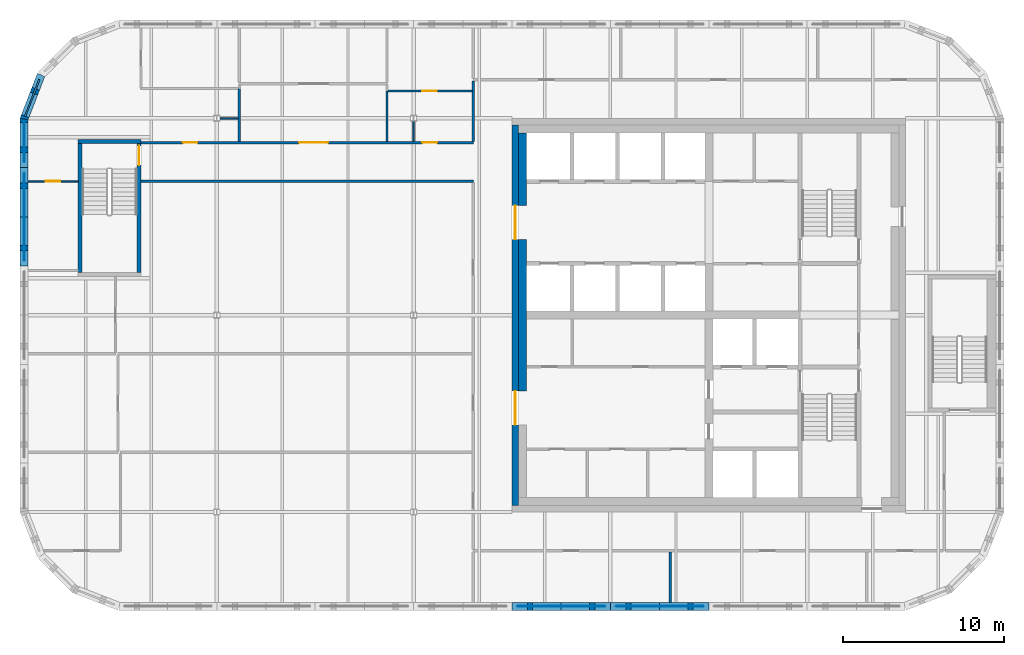
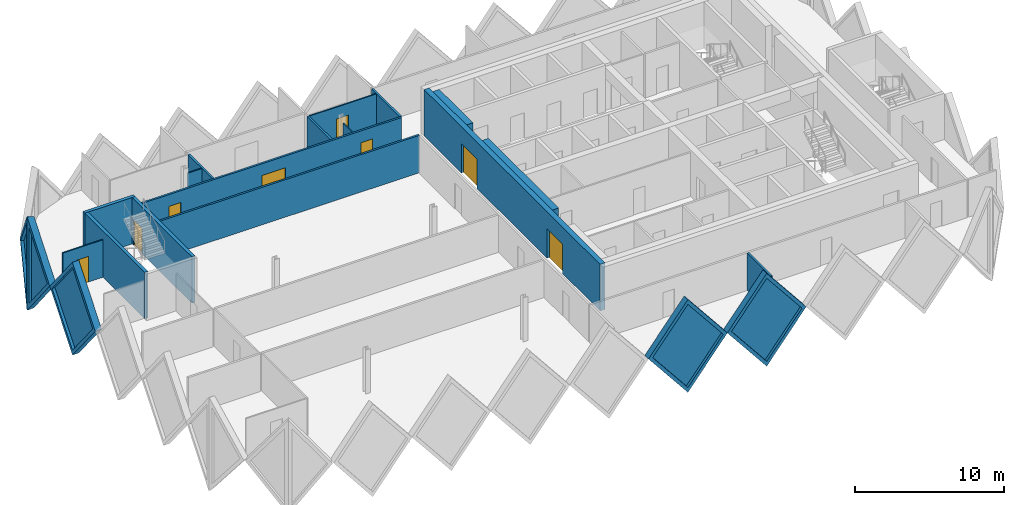
# One storey, part 4 of 11: 21 walls, 8 doors, 5 plates, 13 openings.
"""IFC4 building model written with IfcOpenShell, lengths in metres."""

from ifc_helpers import new_model, si_unit, direction, frame, frame_2d, origin, place, context, subcontext, project, spatial, polyline, rectangle, outline, extrude, faceted_brep, source, transform, mapped, material, layer, layer_set, type_object, element, fill, save


model = new_model("IFC4")

# Units and contexts
model_context = context("Model", 3, precision=1e-05, world=origin(), true_north=direction((0.0, 1.0)))
body_context = subcontext(model_context, "Body", "Model", "MODEL_VIEW")
ifc_project = project(units=[si_unit("LENGTHUNIT", "METRE"), si_unit("AREAUNIT", "SQUARE_METRE"), si_unit("VOLUMEUNIT", "CUBIC_METRE"), si_unit("PLANEANGLEUNIT", "RADIAN"), si_unit("MASSUNIT", "GRAM", prefix="KILO")], contexts=[model_context])

# Site, building, storey
site_placement = place(None, origin())
site = spatial("IfcSite", under=ifc_project, at=site_placement, CompositionType="ELEMENT")
building_placement = place(site_placement, origin())
building = spatial("IfcBuilding", under=site, at=building_placement, Name="Tessera Gate Towers", CompositionType="ELEMENT")
storey_placement = place(building_placement, frame((0.0, 0.0, 240.699951171875)))
storey = spatial("IfcBuildingStorey", under=building, at=storey_placement, Name="L60", CompositionType="ELEMENT", Elevation=240.699951171875)

# Walls
ifc_material_1 = material(Name="Concrete C40/50", Category="concrete")
ifc_layer_1 = layer(ifc_material_1, 0.25)
ifc_layer_set_1 = layer_set([ifc_layer_1], Name="CORE ENCLOSURE WALL 250")
wall_type_1 = type_object("IfcWallType", Name="CORE ENCLOSURE WALL 250", PredefinedType="SOLIDWALL", material=ifc_layer_set_1)
wall_1_placement = place(storey_placement, frame((3.72509765625, 39.25, 0.0), z_axis=(0.0, 0.0, 1.0), x_axis=(0.0, 1.0, 0.0)))
element("IfcWall", 1, at=wall_1_placement, inside=storey, type_object=wall_type_1, Name="L60 ST3 enclosure wall", PredefinedType="SOLIDWALL", context=body_context, shape_type="SweptSolid", body=[
    extrude(rectangle(XDim=8.0, YDim=0.25, at=frame_2d((4.0, 0.0))), origin(), (0.0, 0.0, 1.0), 3.800048828125),
])
wall_2_placement = place(storey_placement, frame((3.60009765625, 47.375, 0.0), z_axis=(0.0, 0.0, 1.0), x_axis=(1.0, 0.0, 0.0)))
element("IfcWall", 2, at=wall_2_placement, inside=storey, type_object=wall_type_1, Name="L60 ST3 enclosure wall", PredefinedType="SOLIDWALL", context=body_context, shape_type="SweptSolid", body=[
    extrude(rectangle(XDim=3.89990234375, YDim=0.25, at=frame_2d((1.949951171875, 0.0))), origin(), (0.0, 0.0, 1.0), 3.800048828125),
])

# Wall, opening, door
wall_3_placement = place(storey_placement, frame((7.375, 47.25, 0.0), z_axis=(0.0, 0.0, 1.0), x_axis=(0.0, -1.0, 0.0)))
wall_3 = element("IfcWall", 3, at=wall_3_placement, inside=storey, type_object=wall_type_1, Name="L60 ST3 enclosure wall", PredefinedType="SOLIDWALL", context=body_context, shape_type="SweptSolid", body=[
    extrude(rectangle(XDim=8.0, YDim=0.25, at=frame_2d((4.0, 0.0))), origin(), (0.0, 0.0, 1.0), 3.800048828125),
])
shared_shape_1 = source(origin(), body_context, "Body", "SweptSolid", [
    extrude(rectangle(XDim=1.199951171875, YDim=2.10009765625, at=frame_2d((0.60009765625, 1.050048828125))), frame((0.0, 0.135009765625, 0.0), z_axis=(0.0, -1.0, 0.0), x_axis=(1.0, 0.0, 0.0)), (0.0, 0.0, 1.0), 0.27001953125),
])
opening_1_placement = place(wall_3_placement, frame((0.14990234375, 0.0, 0.0)))
opening_1 = element("IfcOpeningElement", 4, at=opening_1_placement, cuts=wall_3, Name="Opening SD-ST3-1", PredefinedType="OPENING", context=body_context, shape_type="MappedRepresentation", body=[
    mapped(shared_shape_1, transform((0.0, 0.0, 0.0), scale=1.0)),
])
ifc_material_2 = material(Name="Hollow steel fire door", Category="steel")
door_type_1 = type_object("IfcDoorType", Name="CORE DOOR SD 1200x2100", OperationType="NOTDEFINED", PredefinedType="DOOR", material=ifc_material_2)
shared_shape_2 = source(origin(), body_context, "Body", "SweptSolid", [
    extrude(rectangle(XDim=1.199951171875, YDim=2.10009765625, at=frame_2d((0.60009765625, 1.050048828125))), frame((0.0, 0.02490234375, 0.0), z_axis=(0.0, -1.0, 0.0), x_axis=(1.0, 0.0, 0.0)), (0.0, 0.0, 1.0), 0.050048828125),
])
door_1_placement = place(opening_1_placement, origin())
door_1 = element("IfcDoor", 5, at=door_1_placement, inside=storey, type_object=door_type_1, Name="Stair door", OperationType="SINGLE_SWING_LEFT", OverallHeight=2.10009765625, OverallWidth=1.199951171875, PredefinedType="DOOR", context=body_context, shape_type="MappedRepresentation", body=[
    mapped(shared_shape_2, transform((0.0, 0.0, 0.0), scale=1.0)),
])
fill(opening_1, door_1)

# Wall, openings, doors
ifc_material_3 = material(Name="Concrete C40/50", Category="concrete")
ifc_layer_2 = layer(ifc_material_3, 0.39990234375)
ifc_layer_set_2 = layer_set([ifc_layer_2], Name="CORE SHEAR WALL 400 C40/50")
wall_type_2 = type_object("IfcWallType", Name="CORE SHEAR WALL 400 C40/50", PredefinedType="SHEAR", material=ifc_layer_set_2)
wall_4_placement = place(storey_placement, frame((30.699951171875, 24.800048828125, 0.0), z_axis=(0.0, 0.0, 1.0), x_axis=(0.0, 1.0, 0.0)))
wall_4 = element("IfcWall", 6, at=wall_4_placement, inside=storey, type_object=wall_type_2, Name="Core wall W L60", PredefinedType="SHEAR", context=body_context, shape_type="SweptSolid", body=[
    extrude(rectangle(XDim=23.599853515625, YDim=0.39990234375, at=frame_2d((11.7998046875, 0.0))), origin(), (0.0, 0.0, 1.0), 3.800048828125),
])
shared_shape_3 = source(origin(), body_context, "Body", "SweptSolid", [
    extrude(rectangle(XDim=2.10009765625, YDim=2.39990234375, at=frame_2d((1.050048828125, 1.199951171875))), frame((0.0, 0.2099609375, 0.0), z_axis=(0.0, -1.0, 0.0), x_axis=(1.0, 0.0, 0.0)), (0.0, 0.0, 1.0), 0.419921875),
])
opening_2_placement = place(wall_4_placement, frame((5.0, 0.0, 0.0)))
opening_2 = element("IfcOpeningElement", 7, at=opening_2_placement, cuts=wall_4, Name="Opening DD-T1-36-02", PredefinedType="OPENING", context=body_context, shape_type="MappedRepresentation", body=[
    mapped(shared_shape_3, transform((0.0, 0.0, 0.0), scale=1.0)),
])
opening_3_placement = place(wall_4_placement, frame((16.5, 0.0, 0.0)))
opening_3 = element("IfcOpeningElement", 8, at=opening_3_placement, cuts=wall_4, Name="Opening DD-T1-36-03", PredefinedType="OPENING", context=body_context, shape_type="MappedRepresentation", body=[
    mapped(shared_shape_3, transform((0.0, 0.0, 0.0), scale=1.0)),
])
ifc_material_4 = material(Name="Hollow steel fire door", Category="steel")
door_type_2 = type_object("IfcDoorType", Name="CORE DOOR DD 2100x2400", OperationType="NOTDEFINED", PredefinedType="DOOR", material=ifc_material_4)
shared_shape_4 = source(origin(), body_context, "Body", "SweptSolid", [
    extrude(rectangle(XDim=2.10009765625, YDim=2.39990234375, at=frame_2d((1.050048828125, 1.199951171875))), frame((0.0, 0.02490234375, 0.0), z_axis=(0.0, -1.0, 0.0), x_axis=(1.0, 0.0, 0.0)), (0.0, 0.0, 1.0), 0.050048828125),
])
door_2_placement = place(opening_2_placement, origin())
door_2 = element("IfcDoor", 9, at=door_2_placement, inside=storey, type_object=door_type_2, Name="Core entrance door", OperationType="DOUBLE_DOOR_SINGLE_SWING", OverallHeight=2.39990234375, OverallWidth=2.10009765625, PredefinedType="DOOR", context=body_context, shape_type="MappedRepresentation", body=[
    mapped(shared_shape_4, transform((0.0, 0.0, 0.0), scale=1.0)),
])
fill(opening_2, door_2)
door_3_placement = place(opening_3_placement, origin())
door_3 = element("IfcDoor", 10, at=door_3_placement, inside=storey, type_object=door_type_2, Name="Core entrance door", OperationType="DOUBLE_DOOR_SINGLE_SWING", OverallHeight=2.39990234375, OverallWidth=2.10009765625, PredefinedType="DOOR", context=body_context, shape_type="MappedRepresentation", body=[
    mapped(shared_shape_4, transform((0.0, 0.0, 0.0), scale=1.0)),
])
fill(opening_3, door_3)

# Walls
ifc_material_5 = material(Name="Concrete C40/50", Category="concrete")
ifc_layer_3 = layer(ifc_material_5, 0.5)
ifc_layer_set_3 = layer_set([ifc_layer_3], Name="CORE WALL THICKENING 500")
wall_type_3 = type_object("IfcWallType", Name="CORE WALL THICKENING 500", PredefinedType="SOLIDWALL", material=ifc_layer_set_3)
wall_5_placement = place(storey_placement, frame((31.14990234375, 31.89990234375, 0.0), z_axis=(0.0, 0.0, 1.0), x_axis=(0.0, 1.0, 0.0)))
element("IfcWall", 11, at=wall_5_placement, inside=storey, type_object=wall_type_3, Name="Core wall thickening W L60", PredefinedType="SOLIDWALL", context=body_context, shape_type="SweptSolid", body=[
    extrude(rectangle(XDim=9.400146484375, YDim=0.5, at=frame_2d((4.7001953125, 0.0))), origin(), (0.0, 0.0, 1.0), 3.800048828125),
])
wall_6_placement = place(storey_placement, frame((31.14990234375, 43.39990234375, 0.0), z_axis=(0.0, 0.0, 1.0), x_axis=(0.0, 1.0, 0.0)))
element("IfcWall", 12, at=wall_6_placement, inside=storey, type_object=wall_type_3, Name="Core wall thickening W L60", PredefinedType="SOLIDWALL", context=body_context, shape_type="SweptSolid", body=[
    extrude(rectangle(XDim=4.5, YDim=0.5, at=frame_2d((2.25, 0.0))), origin(), (0.0, 0.0, 1.0), 3.800048828125),
])
ifc_material_6 = material(Name="Gypsum board on steel studs, mineral wool", Category="steel")
ifc_layer_4 = layer(ifc_material_6, 0.14990234375)
ifc_layer_set_4 = layer_set([ifc_layer_4], Name="CORRIDOR WALL 150")
wall_type_4 = type_object("IfcWallType", Name="CORRIDOR WALL 150", PredefinedType="PARTITIONING", material=ifc_layer_set_4)
wall_7_placement = place(storey_placement, frame((7.5, 44.89990234375, 0.0), z_axis=(0.0, 0.0, 1.0), x_axis=(1.0, 0.0, 0.0)))
element("IfcWall", 13, at=wall_7_placement, inside=storey, type_object=wall_type_4, Name="T1-L60-PW-018", PredefinedType="PARTITIONING", context=body_context, shape_type="SweptSolid", body=[
    extrude(rectangle(XDim=20.60009765625, YDim=0.14990234375, at=frame_2d((10.300048828125, 0.0))), origin(), (0.0, 0.0, 1.0), 3.067138671875),
])

# Wall, openings, doors
wall_8_placement = place(storey_placement, frame((7.5, 47.300048828125, 0.0), z_axis=(0.0, 0.0, 1.0), x_axis=(1.0, 0.0, 0.0)))
wall_8 = element("IfcWall", 14, at=wall_8_placement, inside=storey, type_object=wall_type_4, Name="T1-L60-PW-019", PredefinedType="PARTITIONING", context=body_context, shape_type="SweptSolid", body=[
    extrude(rectangle(XDim=20.60009765625, YDim=0.14990234375, at=frame_2d((10.300048828125, 0.0))), origin(), (0.0, 0.0, 1.0), 3.067138671875),
])
shared_shape_5 = source(origin(), body_context, "Body", "SweptSolid", [
    extrude(rectangle(XDim=0.89990234375, YDim=2.10009765625, at=frame_2d((0.449951171875, 1.050048828125))), frame((0.0, 0.0849609375, 0.0), z_axis=(0.0, -1.0, 0.0), x_axis=(1.0, 0.0, 0.0)), (0.0, 0.0, 1.0), 0.169921875),
])
opening_4_placement = place(wall_8_placement, frame((17.450927734375, 0.0, 0.0)))
opening_4 = element("IfcOpeningElement", 15, at=opening_4_placement, cuts=wall_8, Name="Opening D890FD60-A21-02", PredefinedType="OPENING", context=body_context, shape_type="MappedRepresentation", body=[
    mapped(shared_shape_5, transform((0.0, 0.0, 0.0), scale=1.0)),
])
opening_5_placement = place(wall_8_placement, frame((2.60009765625, 0.0, 0.0)))
opening_5 = element("IfcOpeningElement", 16, at=opening_5_placement, cuts=wall_8, Name="Opening D890FD60-A21-05", PredefinedType="OPENING", context=body_context, shape_type="MappedRepresentation", body=[
    mapped(shared_shape_5, transform((0.0, 0.0, 0.0), scale=1.0)),
])
shared_shape_6 = source(origin(), body_context, "Body", "SweptSolid", [
    extrude(rectangle(XDim=1.800048828125, YDim=2.10009765625, at=frame_2d((0.89990234375, 1.050048828125))), frame((0.0, 0.0849609375, 0.0), z_axis=(0.0, -1.0, 0.0), x_axis=(1.0, 0.0, 0.0)), (0.0, 0.0, 1.0), 0.169921875),
])
opening_6_placement = place(wall_8_placement, frame((9.800048828125, 0.0, 0.0)))
opening_6 = element("IfcOpeningElement", 17, at=opening_6_placement, cuts=wall_8, Name="Opening D2180FD60-A21-01", PredefinedType="OPENING", context=body_context, shape_type="MappedRepresentation", body=[
    mapped(shared_shape_6, transform((0.0, 0.0, 0.0), scale=1.0)),
])
ifc_material_7 = material(Name="Timber door leaf in steel frame", Category="steel")
door_type_3 = type_object("IfcDoorType", Name="CORRIDOR DOOR 900 FD60", OperationType="NOTDEFINED", PredefinedType="DOOR", material=ifc_material_7)
shared_shape_7 = source(origin(), body_context, "Body", "SweptSolid", [
    extrude(rectangle(XDim=0.89990234375, YDim=2.10009765625, at=frame_2d((0.449951171875, 1.050048828125))), frame((0.0, 0.02490234375, 0.0), z_axis=(0.0, -1.0, 0.0), x_axis=(1.0, 0.0, 0.0)), (0.0, 0.0, 1.0), 0.050048828125),
])
door_4_placement = place(opening_4_placement, origin())
door_4 = element("IfcDoor", 18, at=door_4_placement, inside=storey, type_object=door_type_3, Name="T1-L60-PD-005", OperationType="SINGLE_SWING_LEFT", OverallHeight=2.10009765625, OverallWidth=0.89990234375, PredefinedType="DOOR", context=body_context, shape_type="MappedRepresentation", body=[
    mapped(shared_shape_7, transform((0.0, 0.0, 0.0), scale=1.0)),
])
fill(opening_4, door_4)
door_5_placement = place(opening_5_placement, origin())
door_5 = element("IfcDoor", 19, at=door_5_placement, inside=storey, type_object=door_type_3, Name="T1-L60-PD-009", OperationType="SINGLE_SWING_LEFT", OverallHeight=2.10009765625, OverallWidth=0.89990234375, PredefinedType="DOOR", context=body_context, shape_type="MappedRepresentation", body=[
    mapped(shared_shape_7, transform((0.0, 0.0, 0.0), scale=1.0)),
])
fill(opening_5, door_5)
ifc_material_8 = material(Name="Timber door leaf in steel frame", Category="steel")
door_type_4 = type_object("IfcDoorType", Name="TENANCY ENTRANCE DOUBLE DOOR 1800 FD60", OperationType="NOTDEFINED", PredefinedType="DOOR", material=ifc_material_8)
shared_shape_8 = source(origin(), body_context, "Body", "SweptSolid", [
    extrude(rectangle(XDim=1.800048828125, YDim=2.10009765625, at=frame_2d((0.89990234375, 1.050048828125))), frame((0.0, 0.02490234375, 0.0), z_axis=(0.0, -1.0, 0.0), x_axis=(1.0, 0.0, 0.0)), (0.0, 0.0, 1.0), 0.050048828125),
])
door_6_placement = place(opening_6_placement, origin())
door_6 = element("IfcDoor", 20, at=door_6_placement, inside=storey, type_object=door_type_4, Name="T1-L60-PD-012", OperationType="DOUBLE_DOOR_SINGLE_SWING", OverallHeight=2.10009765625, OverallWidth=1.800048828125, PredefinedType="DOOR", context=body_context, shape_type="MappedRepresentation", body=[
    mapped(shared_shape_8, transform((0.0, 0.0, 0.0), scale=1.0)),
])
fill(opening_6, door_6)

# Wall
wall_9_placement = place(storey_placement, frame((28.10009765625, 47.3759765625, 0.0), z_axis=(0.0, 0.0, 1.0), x_axis=(0.0, 1.0, 0.0)))
element("IfcWall", 21, at=wall_9_placement, inside=storey, type_object=wall_type_4, Name="T1-L60-PW-022", PredefinedType="PARTITIONING", context=body_context, shape_type="SweptSolid", body=[
    extrude(rectangle(XDim=3.748046875, YDim=0.14990234375, at=frame_2d((1.8740234375, 0.0))), origin(), (0.0, 0.0, 1.0), 3.067138671875),
])

# Wall, opening, door
ifc_material_9 = material(Name="Glass", Category="glass")
ifc_layer_5 = layer(ifc_material_9, 0.10009765625)
ifc_layer_set_5 = layer_set([ifc_layer_5], Name="GLAZED PARTITION 100")
wall_type_5 = type_object("IfcWallType", Name="GLAZED PARTITION 100", PredefinedType="PARTITIONING", material=ifc_layer_set_5)
wall_10_placement = place(storey_placement, frame((3.60009765625, 44.89990234375, 0.0), z_axis=(0.0, 0.0, 1.0), x_axis=(-1.0, 0.0, 0.0)))
wall_10 = element("IfcWall", 22, at=wall_10_placement, inside=storey, type_object=wall_type_5, Name="T1-L60-PW-017", PredefinedType="PARTITIONING", context=body_context, shape_type="SweptSolid", body=[
    extrude(rectangle(XDim=3.10009765625, YDim=0.10009765625, at=frame_2d((1.550048828125, 0.0))), origin(), (0.0, 0.0, 1.0), 3.067138671875),
])
shared_shape_9 = source(origin(), body_context, "Body", "SweptSolid", [
    extrude(rectangle(XDim=0.89990234375, YDim=2.10009765625, at=frame_2d((0.449951171875, 1.050048828125))), frame((0.0, 0.06005859375, 0.0), z_axis=(0.0, -1.0, 0.0), x_axis=(1.0, 0.0, 0.0)), (0.0, 0.0, 1.0), 0.1201171875),
])
opening_7_placement = place(wall_10_placement, frame((1.10009765625, 0.0, 0.0)))
opening_7 = element("IfcOpeningElement", 23, at=opening_7_placement, cuts=wall_10, Name="Opening D690-A21-01", PredefinedType="OPENING", context=body_context, shape_type="MappedRepresentation", body=[
    mapped(shared_shape_9, transform((0.0, 0.0, 0.0), scale=1.0)),
])
ifc_material_10 = material(Name="Glass in aluminium frame", Category="aluminium")
door_type_5 = type_object("IfcDoorType", Name="GLAZED DOOR 900 NOT RATED", OperationType="NOTDEFINED", PredefinedType="DOOR", material=ifc_material_10)
door_7_placement = place(opening_7_placement, origin())
door_7 = element("IfcDoor", 24, at=door_7_placement, inside=storey, type_object=door_type_5, Name="T1-L60-PD-001", OperationType="SINGLE_SWING_RIGHT", OverallHeight=2.10009765625, OverallWidth=0.89990234375, PredefinedType="DOOR", context=body_context, shape_type="MappedRepresentation", body=[
    mapped(shared_shape_7, transform((0.0, 0.0, 0.0), scale=1.0)),
])
fill(opening_7, door_7)

wall_11_placement = place(storey_placement, frame((22.825927734375, 50.5, 0.0), z_axis=(0.0, 0.0, 1.0), x_axis=(1.0, 0.0, 0.0)))
wall_11 = element("IfcWall", 25, at=wall_11_placement, inside=storey, type_object=wall_type_5, Name="T1-L60-PW-026", PredefinedType="PARTITIONING", context=body_context, shape_type="SweptSolid", body=[
    extrude(rectangle(XDim=5.197998046875, YDim=0.10009765625, at=frame_2d((2.59912109375, 0.0))), origin(), (0.0, 0.0, 1.0), 3.067138671875),
])
opening_8_placement = place(wall_11_placement, frame((2.10009765625, 0.0, 0.0)))
opening_8 = element("IfcOpeningElement", 26, at=opening_8_placement, cuts=wall_11, Name="Opening D690-A21-03", PredefinedType="OPENING", context=body_context, shape_type="MappedRepresentation", body=[
    mapped(shared_shape_9, transform((0.0, 0.0, 0.0), scale=1.0)),
])
door_8_placement = place(opening_8_placement, origin())
door_8 = element("IfcDoor", 27, at=door_8_placement, inside=storey, type_object=door_type_5, Name="T1-L60-PD-004", OperationType="SINGLE_SWING_LEFT", OverallHeight=2.10009765625, OverallWidth=0.89990234375, PredefinedType="DOOR", context=body_context, shape_type="MappedRepresentation", body=[
    mapped(shared_shape_7, transform((0.0, 0.0, 0.0), scale=1.0)),
])
fill(opening_8, door_8)

# Walls
ifc_material_11 = material(Name="Gypsum board on steel studs", Category="steel")
ifc_layer_6 = layer(ifc_material_11, 0.10009765625)
ifc_layer_set_6 = layer_set([ifc_layer_6], Name="PARTITION 100")
wall_type_6 = type_object("IfcWallType", Name="PARTITION 100", PredefinedType="PARTITIONING", material=ifc_layer_set_6)
wall_12_placement = place(storey_placement, frame((24.39990234375, 48.60009765625, 0.0), z_axis=(0.0, 0.0, 1.0), x_axis=(0.0, -1.0, 0.0)))
element("IfcWall", 28, at=wall_12_placement, inside=storey, type_object=wall_type_6, Name="T1-L60-PW-023", PredefinedType="PARTITIONING", context=body_context, shape_type="SweptSolid", body=[
    extrude(rectangle(XDim=1.22509765625, YDim=0.10009765625, at=frame_2d((0.612548828125, 0.0))), origin(), (0.0, 0.0, 1.0), 3.067138671875),
])
wall_13_placement = place(storey_placement, frame((12.39990234375, 48.800048828125, 0.0), z_axis=(0.0, 0.0, 1.0), x_axis=(1.0, 0.0, 0.0)))
element("IfcWall", 29, at=wall_13_placement, inside=storey, type_object=wall_type_6, Name="T1-L60-PW-024", PredefinedType="PARTITIONING", context=body_context, shape_type="SweptSolid", body=[
    extrude(rectangle(XDim=1.125, YDim=0.10009765625, at=frame_2d((0.5625, 0.0))), origin(), (0.0, 0.0, 1.0), 3.067138671875),
])
ifc_material_12 = material(Name="Gypsum board on steel studs, mineral wool", Category="steel")
ifc_layer_7 = layer(ifc_material_12, 0.14990234375)
ifc_layer_set_7 = layer_set([ifc_layer_7], Name="TENANCY WALL 150")
wall_type_7 = type_object("IfcWallType", Name="TENANCY WALL 150", PredefinedType="PARTITIONING", material=ifc_layer_set_7)
wall_14_placement = place(storey_placement, frame((40.300048828125, 18.800048828125, 0.0), z_axis=(0.0, 0.0, 1.0), x_axis=(0.0, 1.0, 0.0)))
element("IfcWall", 30, at=wall_14_placement, inside=storey, type_object=wall_type_7, Name="T1-L60-PW-002", PredefinedType="PARTITIONING", context=body_context, shape_type="SweptSolid", body=[
    extrude(rectangle(XDim=3.1240234375, YDim=0.14990234375, at=frame_2d((1.56201171875, 0.0))), origin(), (0.0, 0.0, 1.0), 3.067138671875),
])
wall_15_placement = place(storey_placement, frame((13.60009765625, 47.3759765625, 0.0), z_axis=(0.0, 0.0, 1.0), x_axis=(0.0, 1.0, 0.0)))
element("IfcWall", 31, at=wall_15_placement, inside=storey, type_object=wall_type_7, Name="T1-L60-PW-020", PredefinedType="PARTITIONING", context=body_context, shape_type="SweptSolid", body=[
    extrude(rectangle(XDim=3.27392578125, YDim=0.14990234375, at=frame_2d((1.636962890625, 0.0))), origin(), (0.0, 0.0, 1.0), 3.067138671875),
])
wall_16_placement = place(storey_placement, frame((22.75, 47.3759765625, 0.0), z_axis=(0.0, 0.0, 1.0), x_axis=(0.0, 1.0, 0.0)))
element("IfcWall", 32, at=wall_16_placement, inside=storey, type_object=wall_type_7, Name="T1-L60-PW-021", PredefinedType="PARTITIONING", context=body_context, shape_type="SweptSolid", body=[
    extrude(rectangle(XDim=3.1240234375, YDim=0.14990234375, at=frame_2d((1.56201171875, 0.0))), origin(), (0.0, 0.0, 1.0), 3.067138671875),
])

# Wall, opening, plate
ifc_material_13 = material(Name="Precast concrete C60/75 white", Category="concrete")
ifc_layer_8 = layer(ifc_material_13, 0.5)
ifc_layer_set_8 = layer_set([ifc_layer_8], Name="TS1 tessera")
wall_type_8 = type_object("IfcWallType", Name="TS1 tessera", PredefinedType="SOLIDWALL", material=ifc_layer_set_8)
shared_shape_10 = source(origin(), body_context, "Body", "Brep", [
    faceted_brep([(3.050048828125, -0.25, 0.0), (6.099853515625, -0.25, 3.7998046875), (6.099853515625, -0.25, 3.80029296875), (3.050048828125, -0.25, 7.60009765625), (0.0, -0.25, 3.800048828125), (0.0, 0.25, 3.800048828125), (3.050048828125, 0.25, 7.60009765625), (6.099853515625, 0.25, 3.80029296875), (6.099853515625, 0.25, 3.7998046875), (3.050048828125, 0.25, 0.0)], [[[0, 1, 2, 3, 4]], [[5, 6, 7, 8, 9]], [[9, 8, 1, 0]], [[7, 6, 3, 2]], [[6, 5, 4, 3]], [[5, 9, 0, 4]], [[1, 8, 7, 2]]]),
])
wall_17_placement = place(storey_placement, frame((36.60009765625, 18.550048828125, -3.800048828125), z_axis=(0.0, 0.0, 1.0), x_axis=(1.0, 0.0, 0.0)))
wall_17 = element("IfcWall", 33, at=wall_17_placement, inside=storey, type_object=wall_type_8, Name="Precast tessera T1 TS1-1040", PredefinedType="SOLIDWALL", context=body_context, shape_type="MappedRepresentation", body=[
    mapped(shared_shape_10, transform((0.0, 0.0, 0.0), scale=1.0)),
])
shared_shape_11 = source(origin(), body_context, "Body", "SweptSolid", [
    extrude(outline(polyline([(3.050048828125, 0.3994140625), (5.779541015625, 3.800048828125), (3.050048828125, 7.20068359375), (0.320556640625, 3.800048828125), (3.050048828125, 0.3994140625)])), frame((0.0, 0.260009765625, 0.0), z_axis=(0.0, -1.0, 0.0), x_axis=(1.0, 0.0, 0.0)), (0.0, 0.0, 1.0), 0.52001953125),
])
opening_9_placement = place(wall_17_placement, origin())
opening_9 = element("IfcOpeningElement", 34, at=opening_9_placement, cuts=wall_17, Name="Opening T1-PL2-2124", PredefinedType="OPENING", context=body_context, shape_type="MappedRepresentation", body=[
    mapped(shared_shape_11, transform((0.0, 0.0, 0.0), scale=1.0)),
])
ifc_material_14 = material(Name="Low-e laminated glass", Category="glass")
ifc_layer_9 = layer(ifc_material_14, 0.06005859375)
ifc_layer_set_9 = layer_set([ifc_layer_9], Name="PL2 rhombic pane")
plate_type = type_object("IfcPlateType", Name="PL2 rhombic pane", PredefinedType="SHEET", material=ifc_layer_set_9)
shared_shape_12 = source(origin(), body_context, "Body", "SweptSolid", [
    extrude(outline(polyline([(3.050048828125, 0.3994140625), (5.779541015625, 3.800048828125), (3.050048828125, 7.20068359375), (0.320556640625, 3.800048828125), (3.050048828125, 0.3994140625)])), frame((0.0, 0.030029296875, 0.0), z_axis=(0.0, -1.0, 0.0), x_axis=(1.0, 0.0, 0.0)), (0.0, 0.0, 1.0), 0.06005859375),
])
plate_1_placement = place(opening_9_placement, origin())
plate_1 = element("IfcPlate", 35, at=plate_1_placement, inside=storey, type_object=plate_type, Name="Glass pane T1 PL2-2124", PredefinedType="SHEET", context=body_context, shape_type="MappedRepresentation", body=[
    mapped(shared_shape_12, transform((0.0, 0.0, 0.0), scale=1.0)),
])
fill(opening_9, plate_1)

shared_shape_13 = source(origin(), body_context, "Body", "SweptSolid", [
    extrude(outline(polyline([(3.050048828125, 0.0), (6.10009765625, 3.800048828125), (3.050048828125, 7.60009765625), (0.0, 3.800048828125), (3.050048828125, 0.0)])), frame((0.0, 0.25, 0.0), z_axis=(0.0, -1.0, 0.0), x_axis=(1.0, 0.0, 0.0)), (0.0, 0.0, 1.0), 0.5),
])
wall_18_placement = place(storey_placement, frame((30.5, 18.550048828125, -3.800048828125), z_axis=(0.0, 0.0, 1.0), x_axis=(1.0, 0.0, 0.0)))
wall_18 = element("IfcWall", 36, at=wall_18_placement, inside=storey, type_object=wall_type_8, Name="Precast tessera T1 TS1-1039", PredefinedType="SOLIDWALL", context=body_context, shape_type="MappedRepresentation", body=[
    mapped(shared_shape_13, transform((0.0, 0.0, 0.0), scale=1.0)),
])
opening_10_placement = place(wall_18_placement, origin())
opening_10 = element("IfcOpeningElement", 37, at=opening_10_placement, cuts=wall_18, Name="Opening T1-PL2-2123", PredefinedType="OPENING", context=body_context, shape_type="MappedRepresentation", body=[
    mapped(shared_shape_11, transform((0.0, 0.0, 0.0), scale=1.0)),
])
plate_2_placement = place(opening_10_placement, origin())
plate_2 = element("IfcPlate", 38, at=plate_2_placement, inside=storey, type_object=plate_type, Name="Glass pane T1 PL2-2123", PredefinedType="SHEET", context=body_context, shape_type="MappedRepresentation", body=[
    mapped(shared_shape_12, transform((0.0, 0.0, 0.0), scale=1.0)),
])
fill(opening_10, plate_2)

wall_19_placement = place(storey_placement, frame((0.25, 45.75, -3.800048828125), z_axis=(0.0, 0.0, 1.0), x_axis=(0.0, -1.0, 0.0)))
wall_19 = element("IfcWall", 39, at=wall_19_placement, inside=storey, type_object=wall_type_8, Name="Precast tessera T1 TS1-1054", PredefinedType="SOLIDWALL", context=body_context, shape_type="MappedRepresentation", body=[
    mapped(shared_shape_13, transform((0.0, 0.0, 0.0), scale=1.0)),
])
opening_11_placement = place(wall_19_placement, origin())
opening_11 = element("IfcOpeningElement", 40, at=opening_11_placement, cuts=wall_19, Name="Opening T1-PL2-2150", PredefinedType="OPENING", context=body_context, shape_type="MappedRepresentation", body=[
    mapped(shared_shape_11, transform((0.0, 0.0, 0.0), scale=1.0)),
])
plate_3_placement = place(opening_11_placement, origin())
plate_3 = element("IfcPlate", 41, at=plate_3_placement, inside=storey, type_object=plate_type, Name="Glass pane T1 PL2-2150", PredefinedType="SHEET", context=body_context, shape_type="MappedRepresentation", body=[
    mapped(shared_shape_12, transform((0.0, 0.0, 0.0), scale=1.0)),
])
fill(opening_11, plate_3)

ifc_material_15 = material(Name="Precast concrete C60/75 white", Category="concrete")
ifc_layer_10 = layer(ifc_material_15, 0.5)
ifc_layer_set_10 = layer_set([ifc_layer_10], Name="TS3 corner tessera")
wall_type_9 = type_object("IfcWallType", Name="TS3 corner tessera", PredefinedType="SOLIDWALL", material=ifc_layer_set_10)
shared_shape_14 = source(origin(), body_context, "Body", "Brep", [
    faceted_brep([(0.046630859375, -0.25, 0.0), (3.050048828125, -0.25, 3.800048828125), (0.046630859375, -0.25, 7.60009765625), (0.0, -0.25, 7.5400390625), (0.0, -0.25, 0.06005859375), (0.09326171875, 0.25, 7.541259765625), (3.050048828125, 0.25, 3.800048828125), (0.09326171875, 0.25, 0.058837890625), (0.046630859375, 0.0, 0.0), (0.046630859375, 0.0, 7.60009765625)], [[[0, 1, 2, 3, 4]], [[5, 6, 7]], [[7, 6, 1, 0, 8]], [[6, 5, 9, 2, 1]], [[3, 2, 9]], [[8, 0, 4]], [[7, 8, 4, 3, 9, 5]]]),
])
wall_20_placement = place(storey_placement, frame((0.25, 48.800048828125, -3.800048828125), z_axis=(0.0, 0.0, 1.0), x_axis=(0.0, -1.0, 0.0)))
wall_20 = element("IfcWall", 42, at=wall_20_placement, inside=storey, type_object=wall_type_9, Name="Precast corner tessera T1 TS3-1396", PredefinedType="SOLIDWALL", context=body_context, shape_type="MappedRepresentation", body=[
    mapped(shared_shape_14, transform((0.0, 0.0, 0.0), scale=1.0)),
])
shared_shape_15 = source(origin(), body_context, "Body", "SweptSolid", [
    extrude(outline(polyline([(0.24658203125, 0.65625), (2.7314453125, 3.800048828125), (0.24658203125, 6.94384765625), (0.24658203125, 0.65625)])), frame((0.0, 0.260009765625, 0.0), z_axis=(0.0, -1.0, 0.0), x_axis=(1.0, 0.0, 0.0)), (0.0, 0.0, 1.0), 0.52001953125),
])
opening_12_placement = place(wall_20_placement, origin())
opening_12 = element("IfcOpeningElement", 43, at=opening_12_placement, cuts=wall_20, Name="Opening T1-PL2-2149", PredefinedType="OPENING", context=body_context, shape_type="MappedRepresentation", body=[
    mapped(shared_shape_15, transform((0.0, 0.0, 0.0), scale=1.0)),
])
shared_shape_16 = source(origin(), body_context, "Body", "SweptSolid", [
    extrude(outline(polyline([(0.24658203125, 0.65625), (2.7314453125, 3.800048828125), (0.24658203125, 6.94384765625), (0.24658203125, 0.65625)])), frame((0.0, 0.030029296875, 0.0), z_axis=(0.0, -1.0, 0.0), x_axis=(1.0, 0.0, 0.0)), (0.0, 0.0, 1.0), 0.06005859375),
])
plate_4_placement = place(opening_12_placement, origin())
plate_4 = element("IfcPlate", 44, at=plate_4_placement, inside=storey, type_object=plate_type, Name="Glass pane T1 PL2-2149", PredefinedType="SHEET", context=body_context, shape_type="MappedRepresentation", body=[
    mapped(shared_shape_16, transform((0.0, 0.0, 0.0), scale=1.0)),
])
fill(opening_12, plate_4)

shared_shape_17 = source(origin(), body_context, "Body", "Brep", [
    faceted_brep([(2.950439453125, -0.25, 0.0), (2.9970703125, -0.25, 0.05908203125), (2.9970703125, -0.25, 7.541015625), (2.950439453125, -0.25, 7.60009765625), (0.0, -0.25, 3.800048828125), (0.052978515625, 0.25, 3.8681640625), (2.904052734375, 0.25, 7.540283203125), (2.904052734375, 0.25, 0.059814453125), (0.052978515625, 0.25, 3.73193359375), (2.950439453125, 0.00048828125, 0.0), (2.950439453125, 0.00048828125, 7.60009765625), (0.0, 0.0, 3.800048828125)], [[[0, 1, 2, 3, 4]], [[5, 6, 7, 8]], [[1, 0, 9]], [[10, 3, 2]], [[6, 5, 11, 4, 3, 10]], [[8, 7, 9, 0, 4, 11]], [[8, 11, 5]], [[1, 9, 7, 6, 10, 2]]]),
])
wall_21_placement = place(storey_placement, frame((1.31201171875, 51.50634765625, -3.800048828125), z_axis=(0.0, 0.0, 1.0), x_axis=(-0.359944998003, -0.932973525033, 0.0)))
wall_21 = element("IfcWall", 45, at=wall_21_placement, inside=storey, type_object=wall_type_9, Name="Precast corner tessera T1 TS3-1395", PredefinedType="SOLIDWALL", context=body_context, shape_type="MappedRepresentation", body=[
    mapped(shared_shape_17, transform((0.0, 0.0, 0.0), scale=1.0)),
])
shared_shape_18 = source(origin(), body_context, "Body", "SweptSolid", [
    extrude(outline(polyline([(2.75048828125, 6.934814453125), (0.31640625, 3.800048828125), (2.75048828125, 0.665283203125), (2.75048828125, 6.934814453125)])), frame((0.0, 0.260009765625, 0.0), z_axis=(0.0, -1.0, 0.0), x_axis=(1.0, 0.0, 0.0)), (0.0, 0.0, 1.0), 0.52001953125),
])
opening_13_placement = place(wall_21_placement, origin())
opening_13 = element("IfcOpeningElement", 46, at=opening_13_placement, cuts=wall_21, Name="Opening T1-PL2-2148", PredefinedType="OPENING", context=body_context, shape_type="MappedRepresentation", body=[
    mapped(shared_shape_18, transform((0.0, 0.0, 0.0), scale=1.0)),
])
shared_shape_19 = source(origin(), body_context, "Body", "SweptSolid", [
    extrude(outline(polyline([(2.75048828125, 6.934814453125), (0.31640625, 3.800048828125), (2.75048828125, 0.665283203125), (2.75048828125, 6.934814453125)])), frame((0.0, 0.030029296875, 0.0), z_axis=(0.0, -1.0, 0.0), x_axis=(1.0, 0.0, 0.0)), (0.0, 0.0, 1.0), 0.06005859375),
])
plate_5_placement = place(opening_13_placement, origin())
plate_5 = element("IfcPlate", 47, at=plate_5_placement, inside=storey, type_object=plate_type, Name="Glass pane T1 PL2-2148", PredefinedType="SHEET", context=body_context, shape_type="MappedRepresentation", body=[
    mapped(shared_shape_19, transform((0.0, 0.0, 0.0), scale=1.0)),
])
fill(opening_13, plate_5)

save(model, "model.ifc")
